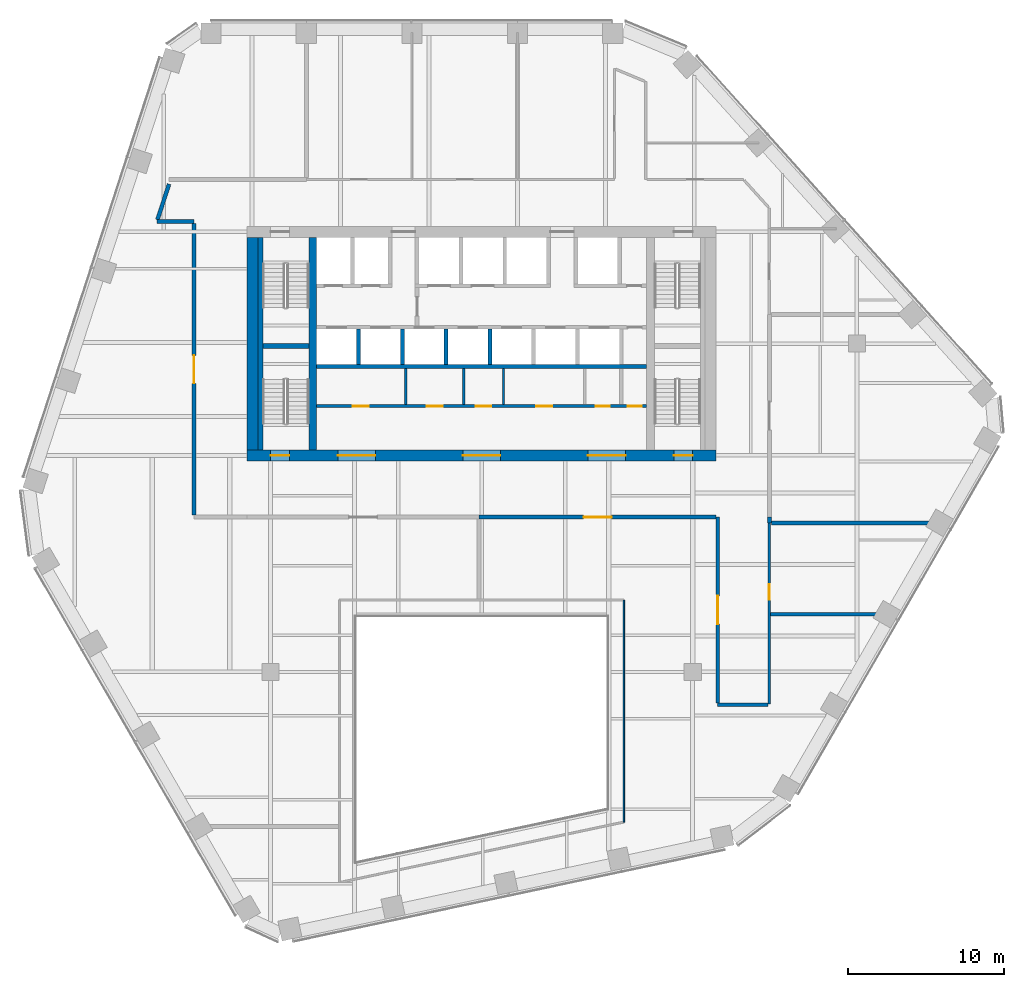
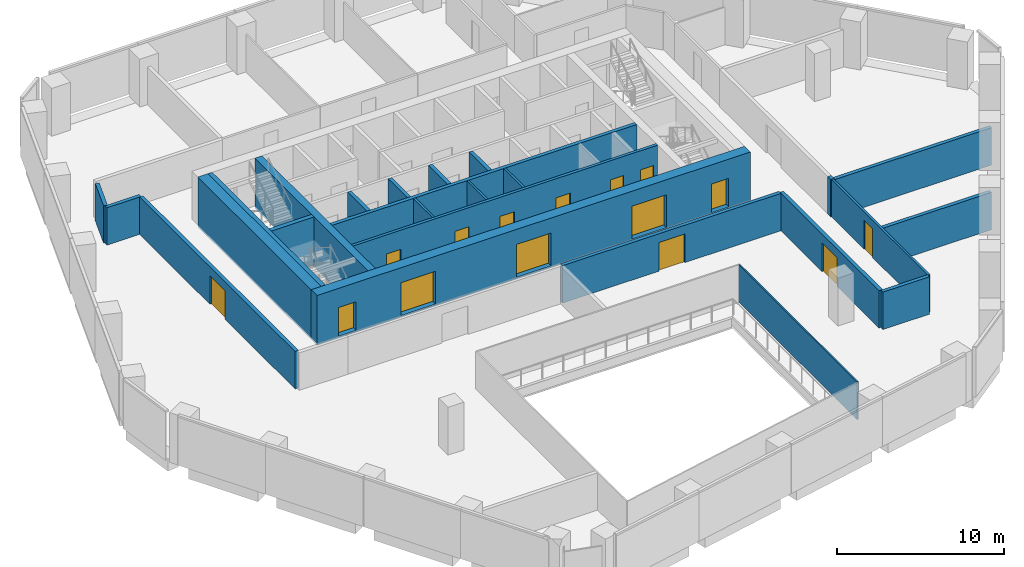
# One storey, part 11 of 16: 25 walls, 15 doors, 15 openings.
"""IFC4 building model written with IfcOpenShell, lengths in metres."""

from ifc_helpers import new_model, si_unit, direction, frame, frame_2d, origin, place, context, subcontext, project, spatial, rectangle, extrude, material, layer, layer_set, type_object, element, fill, save


model = new_model("IFC4")

# Units and contexts
model_context = context("Model", 3, precision=1e-05, world=origin(), true_north=direction((0.0, 1.0)))
body_context = subcontext(model_context, "Body", "Model", "MODEL_VIEW")
ifc_project = project(units=[si_unit("LENGTHUNIT", "METRE"), si_unit("AREAUNIT", "SQUARE_METRE"), si_unit("VOLUMEUNIT", "CUBIC_METRE"), si_unit("PLANEANGLEUNIT", "RADIAN"), si_unit("MASSUNIT", "GRAM", prefix="KILO")], contexts=[model_context])

# Site, building, storey
site_placement = place(None, origin())
site = spatial("IfcSite", under=ifc_project, at=site_placement, CompositionType="ELEMENT")
building_placement = place(site_placement, origin())
building = spatial("IfcBuilding", under=site, at=building_placement, Name="Isthmus Gate Tower", CompositionType="ELEMENT")
storey_placement = place(building_placement, frame((0.0, 0.0, 192.699951171875)))
storey = spatial("IfcBuildingStorey", under=building, at=storey_placement, Name="L48", CompositionType="ELEMENT", Elevation=192.699951171875)

# Wall, opening, door
ifc_material_1 = material(Name="Double-leaf acoustic stud wall, fire-rated", Category="gypsum")
ifc_layer_1 = layer(ifc_material_1, 0.25)
ifc_layer_set_1 = layer_set([ifc_layer_1], Name="ACOUSTIC WALL 250 60 MIN")
wall_type_1 = type_object("IfcWallType", Name="ACOUSTIC WALL 250 60 MIN", PredefinedType="PARTITIONING", material=ifc_layer_set_1)
wall_1_placement = place(storey_placement, frame((14.97509765625, -3.60009765625, 0.0), z_axis=(0.0, 0.0, 1.0), x_axis=(-1.0, 0.0, 0.0)))
wall_1 = element("IfcWall", 1, at=wall_1_placement, inside=storey, type_object=wall_type_1, Name="L48 Acoustic Wall 250 60 Min", PredefinedType="PARTITIONING", context=body_context, shape_type="SweptSolid", body=[
    extrude(rectangle(XDim=15.14111328125, YDim=0.25, at=frame_2d((7.570556640625, 0.0))), origin(), (0.0, 0.0, 1.0), 2.7412109375),
])
opening_1_placement = place(wall_1_placement, frame((6.657958984375, 0.0, 0.0)))
opening_1 = element("IfcOpeningElement", 2, at=opening_1_placement, cuts=wall_1, Name="Opening DT-T4C-10", PredefinedType="OPENING", context=body_context, shape_type="SweptSolid", body=[
    extrude(rectangle(XDim=1.800048828125, YDim=2.10009765625, at=frame_2d((0.89990234375, 1.050048828125))), frame((0.0, 0.135009765625, 0.0), z_axis=(0.0, -1.0, 0.0), x_axis=(1.0, 0.0, 0.0)), (0.0, 0.0, 1.0), 0.27001953125),
])
ifc_material_2 = material(Name="Solid core timber door leaf, fire-rated", Category="wood")
door_type_1 = type_object("IfcDoorType", Name="FIRE DOOR ACOUSTIC ROOM 1800 X 2100 60 MIN", OperationType="DOUBLE_DOOR_DOUBLE_SWING", PredefinedType="DOOR", material=ifc_material_2)
door_1_placement = place(opening_1_placement, origin())
door_1 = element("IfcDoor", 3, at=door_1_placement, inside=storey, type_object=door_type_1, Name="L48 room door", OperationType="DOUBLE_DOOR_DOUBLE_SWING", OverallHeight=2.10009765625, OverallWidth=1.800048828125, PredefinedType="DOOR", context=body_context, shape_type="SweptSolid", body=[
    extrude(rectangle(XDim=1.800048828125, YDim=2.10009765625, at=frame_2d((0.89990234375, 1.050048828125))), frame((0.0, 0.02490234375, 0.0), z_axis=(0.0, -1.0, 0.0), x_axis=(1.0, 0.0, 0.0)), (0.0, 0.0, 1.0), 0.050048828125),
])
fill(opening_1, door_1)

# Walls
wall_2_placement = place(storey_placement, frame((-18.39990234375, 15.300048828125, 0.0), z_axis=(0.0, 0.0, 1.0), x_axis=(-1.0, 0.0, 0.0)))
element("IfcWall", 4, at=wall_2_placement, inside=storey, type_object=wall_type_1, Name="L48 Acoustic Wall 250 60 Min", PredefinedType="PARTITIONING", context=body_context, shape_type="SweptSolid", body=[
    extrude(rectangle(XDim=2.377197265625, YDim=0.25, at=frame_2d((1.1884765625, 0.0))), origin(), (0.0, 0.0, 1.0), 2.7412109375),
])
wall_3_placement = place(storey_placement, frame((18.40087890625, -3.60009765625, 0.0), z_axis=(0.0, 0.0, 1.0), x_axis=(0.0, -1.0, 0.0)))
element("IfcWall", 5, at=wall_3_placement, inside=storey, type_object=wall_type_1, Name="L48 Acoustic Wall 250 60 Min", PredefinedType="PARTITIONING", context=body_context, shape_type="SweptSolid", body=[
    extrude(rectangle(XDim=0.364990234375, YDim=0.25, at=frame_2d((0.1826171875, 0.0))), origin(), (0.0, 0.0, 1.0), 2.7412109375),
])
wall_4_placement = place(storey_placement, frame((18.324951171875, -15.60009765625, 0.0), z_axis=(0.0, 0.0, 1.0), x_axis=(-1.0, 0.0, 0.0)))
element("IfcWall", 6, at=wall_4_placement, inside=storey, type_object=wall_type_1, Name="L48 Acoustic Wall 250 60 Min", PredefinedType="PARTITIONING", context=body_context, shape_type="SweptSolid", body=[
    extrude(rectangle(XDim=3.224853515625, YDim=0.25, at=frame_2d((1.6123046875, 0.0))), origin(), (0.0, 0.0, 1.0), 2.7412109375),
])
wall_5_placement = place(storey_placement, frame((-20.736328125, 15.425048828125, 0.0), z_axis=(0.0, 0.0, 1.0), x_axis=(0.309053762055, 0.951044568966, 0.0)))
element("IfcWall", 7, at=wall_5_placement, inside=storey, type_object=wall_type_1, Name="L48 Acoustic Wall 250 60 Min", PredefinedType="PARTITIONING", context=body_context, shape_type="SweptSolid", body=[
    extrude(rectangle(XDim=2.39208984375, YDim=0.25, at=frame_2d((1.196044921875, 0.0))), origin(), (0.0, 0.0, 1.0), 2.7412109375),
])

# Wall, opening, door
wall_6_placement = place(storey_placement, frame((-18.39990234375, -3.47509765625, 0.0), z_axis=(0.0, 0.0, 1.0), x_axis=(0.0, 1.0, 0.0)))
wall_6 = element("IfcWall", 8, at=wall_6_placement, inside=storey, type_object=wall_type_1, Name="L48 Acoustic Wall 250 60 Min", PredefinedType="PARTITIONING", context=body_context, shape_type="SweptSolid", body=[
    extrude(rectangle(XDim=18.650146484375, YDim=0.25, at=frame_2d((9.3251953125, 0.0))), origin(), (0.0, 0.0, 1.0), 2.7412109375),
])
opening_2_placement = place(wall_6_placement, frame((8.425048828125, 0.0, 0.0)))
opening_2 = element("IfcOpeningElement", 9, at=opening_2_placement, cuts=wall_6, Name="Opening DT-T4C-06", PredefinedType="OPENING", context=body_context, shape_type="SweptSolid", body=[
    extrude(rectangle(XDim=1.800048828125, YDim=2.10009765625, at=frame_2d((0.89990234375, 1.050048828125))), frame((0.0, 0.135009765625, 0.0), z_axis=(0.0, -1.0, 0.0), x_axis=(1.0, 0.0, 0.0)), (0.0, 0.0, 1.0), 0.27001953125),
])
door_2_placement = place(opening_2_placement, origin())
door_2 = element("IfcDoor", 10, at=door_2_placement, inside=storey, type_object=door_type_1, Name="L48 room door", OperationType="DOUBLE_DOOR_DOUBLE_SWING", OverallHeight=2.10009765625, OverallWidth=1.800048828125, PredefinedType="DOOR", context=body_context, shape_type="SweptSolid", body=[
    extrude(rectangle(XDim=1.800048828125, YDim=2.10009765625, at=frame_2d((0.89990234375, 1.050048828125))), frame((0.0, 0.02490234375, 0.0), z_axis=(0.0, -1.0, 0.0), x_axis=(1.0, 0.0, 0.0)), (0.0, 0.0, 1.0), 0.050048828125),
])
fill(opening_2, door_2)

# Walls
wall_7_placement = place(storey_placement, frame((18.52587890625, -3.965087890625, 0.0), z_axis=(0.0, 0.0, 1.0), x_axis=(1.0, 0.0, 0.0)))
element("IfcWall", 11, at=wall_7_placement, inside=storey, type_object=wall_type_1, Name="L48 Acoustic Wall 250 60 Min", PredefinedType="PARTITIONING", context=body_context, shape_type="SweptSolid", body=[
    extrude(rectangle(XDim=10.8232421875, YDim=0.25, at=frame_2d((5.41162109375, 0.0))), origin(), (0.0, 0.0, 1.0), 2.7412109375),
])
wall_8_placement = place(storey_placement, frame((18.47705078125, -9.81103515625, 0.0), z_axis=(0.0, 0.0, 1.0), x_axis=(1.0, 0.0, 0.0)))
element("IfcWall", 12, at=wall_8_placement, inside=storey, type_object=wall_type_1, Name="L48 Acoustic Wall 250 60 Min", PredefinedType="PARTITIONING", context=body_context, shape_type="SweptSolid", body=[
    extrude(rectangle(XDim=7.4970703125, YDim=0.25, at=frame_2d((3.74853515625, 0.0))), origin(), (0.0, 0.0, 1.0), 2.7412109375),
])

# Wall, opening, door
wall_9_placement = place(storey_placement, frame((15.10009765625, -15.47509765625, 0.0), z_axis=(0.0, 0.0, 1.0), x_axis=(0.0, 1.0, 0.0)))
wall_9 = element("IfcWall", 13, at=wall_9_placement, inside=storey, type_object=wall_type_1, Name="L48 Acoustic Wall 250 60 Min", PredefinedType="PARTITIONING", context=body_context, shape_type="SweptSolid", body=[
    extrude(rectangle(XDim=11.875, YDim=0.25, at=frame_2d((5.9375, 0.0))), origin(), (0.0, 0.0, 1.0), 2.7412109375),
])
opening_3_placement = place(wall_9_placement, frame((5.03759765625, 0.0, 0.0)))
opening_3 = element("IfcOpeningElement", 14, at=opening_3_placement, cuts=wall_9, Name="Opening DT-T4C-11", PredefinedType="OPENING", context=body_context, shape_type="SweptSolid", body=[
    extrude(rectangle(XDim=1.800048828125, YDim=2.10009765625, at=frame_2d((0.89990234375, 1.050048828125))), frame((0.0, 0.135009765625, 0.0), z_axis=(0.0, -1.0, 0.0), x_axis=(1.0, 0.0, 0.0)), (0.0, 0.0, 1.0), 0.27001953125),
])
door_3_placement = place(opening_3_placement, origin())
door_3 = element("IfcDoor", 15, at=door_3_placement, inside=storey, type_object=door_type_1, Name="L48 room door", OperationType="DOUBLE_DOOR_DOUBLE_SWING", OverallHeight=2.10009765625, OverallWidth=1.800048828125, PredefinedType="DOOR", context=body_context, shape_type="SweptSolid", body=[
    extrude(rectangle(XDim=1.800048828125, YDim=2.10009765625, at=frame_2d((0.89990234375, 1.050048828125))), frame((0.0, 0.02490234375, 0.0), z_axis=(0.0, -1.0, 0.0), x_axis=(1.0, 0.0, 0.0)), (0.0, 0.0, 1.0), 0.050048828125),
])
fill(opening_3, door_3)

# Wall
ifc_material_3 = material(Name="Fire-rated laminated glass in steel frame", Category="steel")
ifc_layer_2 = layer(ifc_material_3, 0.10009765625)
ifc_layer_set_2 = layer_set([ifc_layer_2], Name="ATRIUM SCREEN GLAZED WALL 100 120 MIN")
wall_type_2 = type_object("IfcWallType", Name="ATRIUM SCREEN GLAZED WALL 100 120 MIN", PredefinedType="PARTITIONING", material=ifc_layer_set_2)
wall_10_placement = place(storey_placement, frame((9.10009765625, -8.89990234375, 0.0), z_axis=(0.0, 0.0, 1.0), x_axis=(0.0, -1.0, 0.0)))
element("IfcWall", 16, at=wall_10_placement, inside=storey, type_object=wall_type_2, Name="L48 atrium screen", PredefinedType="PARTITIONING", context=body_context, shape_type="SweptSolid", body=[
    extrude(rectangle(XDim=14.200927734375, YDim=0.10009765625, at=frame_2d((7.1005859375, 0.0))), origin(), (0.0, 0.0, 1.0), 2.7412109375),
])

# Wall, opening, door
ifc_material_4 = material(Name="Gypsum board on steel studs, fire-rated", Category="steel")
ifc_layer_3 = layer(ifc_material_4, 0.14990234375)
ifc_layer_set_3 = layer_set([ifc_layer_3], Name="CORRIDOR WALL 150 60 MIN")
wall_type_3 = type_object("IfcWallType", Name="CORRIDOR WALL 150 60 MIN", PredefinedType="PARTITIONING", material=ifc_layer_set_3)
wall_11_placement = place(storey_placement, frame((18.39990234375, -3.965087890625, 0.0), z_axis=(0.0, 0.0, 1.0), x_axis=(0.0, -1.0, 0.0)))
wall_11 = element("IfcWall", 17, at=wall_11_placement, inside=storey, type_object=wall_type_3, Name="L48 Corridor Wall 150 60 Min", PredefinedType="PARTITIONING", context=body_context, shape_type="SweptSolid", body=[
    extrude(rectangle(XDim=11.5849609375, YDim=0.14990234375, at=frame_2d((5.79248046875, 0.0))), origin(), (0.0, 0.0, 1.0), 2.7412109375),
])
opening_4_placement = place(wall_11_placement, frame((3.92138671875, 0.0, 0.0)))
opening_4 = element("IfcOpeningElement", 18, at=opening_4_placement, cuts=wall_11, Name="Opening DT-T4C-09", PredefinedType="OPENING", context=body_context, shape_type="SweptSolid", body=[
    extrude(rectangle(XDim=1.0, YDim=2.10009765625, at=frame_2d((0.5, 1.050048828125))), frame((0.0, 0.0849609375, 0.0), z_axis=(0.0, -1.0, 0.0), x_axis=(1.0, 0.0, 0.0)), (0.0, 0.0, 1.0), 0.169921875),
])
ifc_material_5 = material(Name="Solid core timber door leaf, fire-rated", Category="wood")
door_type_2 = type_object("IfcDoorType", Name="FIRE DOOR ROOM 1000 X 2100 60 MIN", OperationType="SINGLE_SWING_LEFT", PredefinedType="DOOR", material=ifc_material_5)
door_4_placement = place(opening_4_placement, origin())
door_4 = element("IfcDoor", 19, at=door_4_placement, inside=storey, type_object=door_type_2, Name="L48 room door", OperationType="SINGLE_SWING_LEFT", OverallHeight=2.10009765625, OverallWidth=1.0, PredefinedType="DOOR", context=body_context, shape_type="SweptSolid", body=[
    extrude(rectangle(XDim=1.0, YDim=2.10009765625, at=frame_2d((0.5, 1.050048828125))), frame((0.0, 0.02490234375, 0.0), z_axis=(0.0, -1.0, 0.0), x_axis=(1.0, 0.0, 0.0)), (0.0, 0.0, 1.0), 0.050048828125),
])
fill(opening_4, door_4)

# Wall
ifc_material_6 = material(Name="Concrete f'c 60 MPa", Category="concrete")
ifc_layer_4 = layer(ifc_material_6, 0.5)
ifc_layer_set_4 = layer_set([ifc_layer_4], Name="RC CORE SPINE WALL 500 F'C 60")
wall_type_4 = type_object("IfcWallType", Name="RC CORE SPINE WALL 500 F'C 60", PredefinedType="SOLIDWALL", material=ifc_layer_set_4)
wall_12_placement = place(storey_placement, frame((-10.800048828125, 0.699951171875, -0.14990234375), z_axis=(0.0, 0.0, 1.0), x_axis=(0.0, 1.0, 0.0)))
element("IfcWall", 20, at=wall_12_placement, inside=storey, type_object=wall_type_4, Name="str-corewall-L48-SPW", PredefinedType="SOLIDWALL", context=body_context, shape_type="SweptSolid", body=[
    extrude(rectangle(XDim=13.60009765625, YDim=0.5, at=frame_2d((6.800048828125, 0.0))), origin(), (0.0, 0.0, 1.0), 3.64990234375),
])

# Wall, openings, doors
ifc_material_7 = material(Name="Concrete f'c 60 MPa", Category="concrete")
ifc_layer_5 = layer(ifc_material_7, 0.699951171875)
ifc_layer_set_5 = layer_set([ifc_layer_5], Name="RC CORE WALL 700 F'C 60")
wall_type_5 = type_object("IfcWallType", Name="RC CORE WALL 700 F'C 60", PredefinedType="SOLIDWALL", material=ifc_layer_set_5)
wall_13_placement = place(storey_placement, frame((-15.0, 0.35009765625, -0.14990234375), z_axis=(0.0, 0.0, 1.0), x_axis=(1.0, 0.0, 0.0)))
wall_13 = element("IfcWall", 21, at=wall_13_placement, inside=storey, type_object=wall_type_5, Name="str-corewall-L48-S", PredefinedType="SOLIDWALL", context=body_context, shape_type="SweptSolid", body=[
    extrude(rectangle(XDim=30.0, YDim=0.699951171875, at=frame_2d((15.0, 0.0))), origin(), (0.0, 0.0, 1.0), 3.64990234375),
])
opening_5_placement = place(wall_13_placement, frame((5.800048828125, 0.0, 0.14990234375)))
opening_5 = element("IfcOpeningElement", 22, at=opening_5_placement, cuts=wall_13, Name="Opening DC-A11-10", PredefinedType="OPENING", context=body_context, shape_type="SweptSolid", body=[
    extrude(rectangle(XDim=2.39990234375, YDim=2.39990234375, at=frame_2d((1.199951171875, 1.199951171875))), frame((0.0, 0.35986328125, 0.0), z_axis=(0.0, -1.0, 0.0), x_axis=(1.0, 0.0, 0.0)), (0.0, 0.0, 1.0), 0.719970703125),
])
opening_6_placement = place(wall_13_placement, frame((13.800048828125, 0.0, 0.14990234375)))
opening_6 = element("IfcOpeningElement", 23, at=opening_6_placement, cuts=wall_13, Name="Opening DC-A11-11", PredefinedType="OPENING", context=body_context, shape_type="SweptSolid", body=[
    extrude(rectangle(XDim=2.39990234375, YDim=2.39990234375, at=frame_2d((1.199951171875, 1.199951171875))), frame((0.0, 0.35986328125, 0.0), z_axis=(0.0, -1.0, 0.0), x_axis=(1.0, 0.0, 0.0)), (0.0, 0.0, 1.0), 0.719970703125),
])
opening_7_placement = place(wall_13_placement, frame((21.800048828125, 0.0, 0.14990234375)))
opening_7 = element("IfcOpeningElement", 24, at=opening_7_placement, cuts=wall_13, Name="Opening DC-A11-12", PredefinedType="OPENING", context=body_context, shape_type="SweptSolid", body=[
    extrude(rectangle(XDim=2.39990234375, YDim=2.39990234375, at=frame_2d((1.199951171875, 1.199951171875))), frame((0.0, 0.35986328125, 0.0), z_axis=(0.0, -1.0, 0.0), x_axis=(1.0, 0.0, 0.0)), (0.0, 0.0, 1.0), 0.719970703125),
])
opening_8_placement = place(wall_13_placement, frame((1.5, 0.0, 0.14990234375)))
opening_8 = element("IfcOpeningElement", 25, at=opening_8_placement, cuts=wall_13, Name="Opening DC-A11-17", PredefinedType="OPENING", context=body_context, shape_type="SweptSolid", body=[
    extrude(rectangle(XDim=1.199951171875, YDim=2.10009765625, at=frame_2d((0.60009765625, 1.050048828125))), frame((0.0, 0.35986328125, 0.0), z_axis=(0.0, -1.0, 0.0), x_axis=(1.0, 0.0, 0.0)), (0.0, 0.0, 1.0), 0.719970703125),
])
opening_9_placement = place(wall_13_placement, frame((27.300048828125, 0.0, 0.14990234375)))
opening_9 = element("IfcOpeningElement", 26, at=opening_9_placement, cuts=wall_13, Name="Opening DC-A11-18", PredefinedType="OPENING", context=body_context, shape_type="SweptSolid", body=[
    extrude(rectangle(XDim=1.199951171875, YDim=2.10009765625, at=frame_2d((0.60009765625, 1.050048828125))), frame((0.0, 0.35986328125, 0.0), z_axis=(0.0, -1.0, 0.0), x_axis=(1.0, 0.0, 0.0)), (0.0, 0.0, 1.0), 0.719970703125),
])
ifc_material_8 = material(Name="Laminated safety glass in steel frame, fire-rated", Category="steel")
door_type_3 = type_object("IfcDoorType", Name="LOBBY ENTRANCE FIRE DOOR 2400 X 2400 60 MIN", OperationType="DOUBLE_DOOR_DOUBLE_SWING", PredefinedType="DOOR", material=ifc_material_8)
door_5_placement = place(opening_5_placement, origin())
door_5 = element("IfcDoor", 27, at=door_5_placement, inside=storey, type_object=door_type_3, Name="Lobby Entrance PS-W", OperationType="DOUBLE_DOOR_DOUBLE_SWING", OverallHeight=2.39990234375, OverallWidth=2.39990234375, PredefinedType="DOOR", context=body_context, shape_type="SweptSolid", body=[
    extrude(rectangle(XDim=2.39990234375, YDim=2.39990234375, at=frame_2d((1.199951171875, 1.199951171875))), frame((0.0, 0.02490234375, 0.0), z_axis=(0.0, -1.0, 0.0), x_axis=(1.0, 0.0, 0.0)), (0.0, 0.0, 1.0), 0.050048828125),
])
fill(opening_5, door_5)
door_6_placement = place(opening_6_placement, origin())
door_6 = element("IfcDoor", 28, at=door_6_placement, inside=storey, type_object=door_type_3, Name="Lobby Entrance PS-C", OperationType="DOUBLE_DOOR_DOUBLE_SWING", OverallHeight=2.39990234375, OverallWidth=2.39990234375, PredefinedType="DOOR", context=body_context, shape_type="SweptSolid", body=[
    extrude(rectangle(XDim=2.39990234375, YDim=2.39990234375, at=frame_2d((1.199951171875, 1.199951171875))), frame((0.0, 0.02490234375, 0.0), z_axis=(0.0, -1.0, 0.0), x_axis=(1.0, 0.0, 0.0)), (0.0, 0.0, 1.0), 0.050048828125),
])
fill(opening_6, door_6)
door_7_placement = place(opening_7_placement, origin())
door_7 = element("IfcDoor", 29, at=door_7_placement, inside=storey, type_object=door_type_3, Name="Lobby Entrance PS-E", OperationType="DOUBLE_DOOR_DOUBLE_SWING", OverallHeight=2.39990234375, OverallWidth=2.39990234375, PredefinedType="DOOR", context=body_context, shape_type="SweptSolid", body=[
    extrude(rectangle(XDim=2.39990234375, YDim=2.39990234375, at=frame_2d((1.199951171875, 1.199951171875))), frame((0.0, 0.02490234375, 0.0), z_axis=(0.0, -1.0, 0.0), x_axis=(1.0, 0.0, 0.0)), (0.0, 0.0, 1.0), 0.050048828125),
])
fill(opening_7, door_7)
ifc_material_9 = material(Name="Steel door leaf, fire-rated", Category="steel")
door_type_4 = type_object("IfcDoorType", Name="STAIR FIRE DOOR 1200 X 2100 90 MIN", OperationType="SINGLE_SWING_LEFT", PredefinedType="DOOR", material=ifc_material_9)
door_8_placement = place(opening_8_placement, origin())
door_8 = element("IfcDoor", 30, at=door_8_placement, inside=storey, type_object=door_type_4, Name="Exit Stair 7 Door", OperationType="SINGLE_SWING_LEFT", OverallHeight=2.10009765625, OverallWidth=1.199951171875, PredefinedType="DOOR", context=body_context, shape_type="SweptSolid", body=[
    extrude(rectangle(XDim=1.199951171875, YDim=2.10009765625, at=frame_2d((0.60009765625, 1.050048828125))), frame((0.0, 0.02490234375, 0.0), z_axis=(0.0, -1.0, 0.0), x_axis=(1.0, 0.0, 0.0)), (0.0, 0.0, 1.0), 0.050048828125),
])
fill(opening_8, door_8)
door_9_placement = place(opening_9_placement, origin())
door_9 = element("IfcDoor", 31, at=door_9_placement, inside=storey, type_object=door_type_4, Name="Exit Stair 8 Door", OperationType="SINGLE_SWING_RIGHT", OverallHeight=2.10009765625, OverallWidth=1.199951171875, PredefinedType="DOOR", context=body_context, shape_type="SweptSolid", body=[
    extrude(rectangle(XDim=1.199951171875, YDim=2.10009765625, at=frame_2d((0.60009765625, 1.050048828125))), frame((0.0, 0.02490234375, 0.0), z_axis=(0.0, -1.0, 0.0), x_axis=(1.0, 0.0, 0.0)), (0.0, 0.0, 1.0), 0.050048828125),
])
fill(opening_9, door_9)

# Walls
wall_14_placement = place(storey_placement, frame((-14.64990234375, 0.699951171875, -0.14990234375), z_axis=(0.0, 0.0, 1.0), x_axis=(0.0, 1.0, 0.0)))
element("IfcWall", 32, at=wall_14_placement, inside=storey, type_object=wall_type_5, Name="str-corewall-L48-W", PredefinedType="SOLIDWALL", context=body_context, shape_type="SweptSolid", body=[
    extrude(rectangle(XDim=13.60009765625, YDim=0.699951171875, at=frame_2d((6.800048828125, 0.0))), origin(), (0.0, 0.0, 1.0), 3.64990234375),
])
ifc_material_10 = material(Name="Gypsum board on steel studs, fire-rated", Category="steel")
ifc_layer_6 = layer(ifc_material_10, 0.14990234375)
ifc_layer_set_6 = layer_set([ifc_layer_6], Name="ROOM PARTITION 150 60 MIN")
wall_type_6 = type_object("IfcWallType", Name="ROOM PARTITION 150 60 MIN", PredefinedType="PARTITIONING", material=ifc_layer_set_6)
for number, where, z_axis, x_axis, name in (
    (33, (-4.85009765625, 3.60009765625, 0.0), (0.0, 0.0, 1.0), (0.0, 1.0, 0.0), "L48 ROOM PARTITION 150 60 MIN"),
    (34, (-1.14990234375, 3.60009765625, 0.0), (0.0, 0.0, 1.0), (0.0, 1.0, 0.0), "L48 ROOM PARTITION 150 60 MIN"),
    (35, (1.39990234375, 3.60009765625, 0.0), (0.0, 0.0, 1.0), (0.0, 1.0, 0.0), "L48 ROOM PARTITION 150 60 MIN"),
):
    element("IfcWall", number, at=place(storey_placement, frame(where, z_axis=z_axis, x_axis=x_axis)), inside=storey, type_object=wall_type_6, Name=name, PredefinedType="PARTITIONING", context=body_context, shape_type="SweptSolid", body=[
        extrude(rectangle(XDim=2.2998046875, YDim=0.14990234375, at=frame_2d((1.14990234375, 0.0))), origin(), (0.0, 0.0, 1.0), 3.5),
    ])

# Wall, openings, doors
ifc_material_11 = material(Name="Fire-rated blockwork masonry, 15 MPa", Category="masonry")
ifc_layer_7 = layer(ifc_material_11, 0.199951171875)
ifc_layer_set_7 = layer_set([ifc_layer_7], Name="SHAFT FRONT WALL 200 120 MIN")
wall_type_7 = type_object("IfcWallType", Name="SHAFT FRONT WALL 200 120 MIN", PredefinedType="PARTITIONING", material=ifc_layer_set_7)
wall_15_placement = place(storey_placement, frame((-10.550048828125, 3.5, 0.0), z_axis=(0.0, 0.0, 1.0), x_axis=(1.0, 0.0, 0.0)))
wall_15 = element("IfcWall", 36, at=wall_15_placement, inside=storey, type_object=wall_type_7, Name="L48 SHAFT FRONT WALL 200 120 MIN", PredefinedType="PARTITIONING", context=body_context, shape_type="SweptSolid", body=[
    extrude(rectangle(XDim=21.10009765625, YDim=0.199951171875, at=frame_2d((10.550048828125, 0.0))), origin(), (0.0, 0.0, 1.0), 3.5),
])
opening_10_placement = place(wall_15_placement, frame((2.3125, 0.0, 0.0)))
opening_10 = element("IfcOpeningElement", 37, at=opening_10_placement, cuts=wall_15, Name="Opening DC-A11-02", PredefinedType="OPENING", context=body_context, shape_type="SweptSolid", body=[
    extrude(rectangle(XDim=1.0, YDim=2.10009765625, at=frame_2d((0.5, 1.050048828125))), frame((0.0, 0.10986328125, 0.0), z_axis=(0.0, -1.0, 0.0), x_axis=(1.0, 0.0, 0.0)), (0.0, 0.0, 1.0), 0.219970703125),
])
opening_11_placement = place(wall_15_placement, frame((7.050048828125, 0.0, 0.0)))
opening_11 = element("IfcOpeningElement", 38, at=opening_11_placement, cuts=wall_15, Name="Opening DC-A11-03", PredefinedType="OPENING", context=body_context, shape_type="SweptSolid", body=[
    extrude(rectangle(XDim=1.0, YDim=2.10009765625, at=frame_2d((0.5, 1.050048828125))), frame((0.0, 0.10986328125, 0.0), z_axis=(0.0, -1.0, 0.0), x_axis=(1.0, 0.0, 0.0)), (0.0, 0.0, 1.0), 0.219970703125),
])
opening_12_placement = place(wall_15_placement, frame((10.175048828125, 0.0, 0.0)))
opening_12 = element("IfcOpeningElement", 39, at=opening_12_placement, cuts=wall_15, Name="Opening DC-A11-04", PredefinedType="OPENING", context=body_context, shape_type="SweptSolid", body=[
    extrude(rectangle(XDim=1.0, YDim=2.10009765625, at=frame_2d((0.5, 1.050048828125))), frame((0.0, 0.10986328125, 0.0), z_axis=(0.0, -1.0, 0.0), x_axis=(1.0, 0.0, 0.0)), (0.0, 0.0, 1.0), 0.219970703125),
])
opening_13_placement = place(wall_15_placement, frame((14.050048828125, 0.0, 0.0)))
opening_13 = element("IfcOpeningElement", 40, at=opening_13_placement, cuts=wall_15, Name="Opening DC-A11-05", PredefinedType="OPENING", context=body_context, shape_type="SweptSolid", body=[
    extrude(rectangle(XDim=1.0, YDim=2.10009765625, at=frame_2d((0.5, 1.050048828125))), frame((0.0, 0.10986328125, 0.0), z_axis=(0.0, -1.0, 0.0), x_axis=(1.0, 0.0, 0.0)), (0.0, 0.0, 1.0), 0.219970703125),
])
opening_14_placement = place(wall_15_placement, frame((17.83740234375, 0.0, 0.0)))
opening_14 = element("IfcOpeningElement", 41, at=opening_14_placement, cuts=wall_15, Name="Opening DC-A11-06", PredefinedType="OPENING", context=body_context, shape_type="SweptSolid", body=[
    extrude(rectangle(XDim=0.89990234375, YDim=2.10009765625, at=frame_2d((0.449951171875, 1.050048828125))), frame((0.0, 0.10986328125, 0.0), z_axis=(0.0, -1.0, 0.0), x_axis=(1.0, 0.0, 0.0)), (0.0, 0.0, 1.0), 0.219970703125),
])
opening_15_placement = place(wall_15_placement, frame((19.89990234375, 0.0, 0.0)))
opening_15 = element("IfcOpeningElement", 42, at=opening_15_placement, cuts=wall_15, Name="Opening DC-A11-07", PredefinedType="OPENING", context=body_context, shape_type="SweptSolid", body=[
    extrude(rectangle(XDim=0.89990234375, YDim=2.10009765625, at=frame_2d((0.449951171875, 1.050048828125))), frame((0.0, 0.10986328125, 0.0), z_axis=(0.0, -1.0, 0.0), x_axis=(1.0, 0.0, 0.0)), (0.0, 0.0, 1.0), 0.219970703125),
])
ifc_material_12 = material(Name="Steel door leaf, fire-rated", Category="steel")
door_type_5 = type_object("IfcDoorType", Name="FIRE DOOR 1000 X 2100 60 MIN", OperationType="SINGLE_SWING_LEFT", PredefinedType="DOOR", material=ifc_material_12)
door_10_placement = place(opening_10_placement, origin())
door_10 = element("IfcDoor", 43, at=door_10_placement, inside=storey, type_object=door_type_5, Name="WC Women Door", OperationType="SINGLE_SWING_LEFT", OverallHeight=2.10009765625, OverallWidth=1.0, PredefinedType="DOOR", context=body_context, shape_type="SweptSolid", body=[
    extrude(rectangle(XDim=1.0, YDim=2.10009765625, at=frame_2d((0.5, 1.050048828125))), frame((0.0, 0.02490234375, 0.0), z_axis=(0.0, -1.0, 0.0), x_axis=(1.0, 0.0, 0.0)), (0.0, 0.0, 1.0), 0.050048828125),
])
fill(opening_10, door_10)
door_11_placement = place(opening_11_placement, origin())
door_11 = element("IfcDoor", 44, at=door_11_placement, inside=storey, type_object=door_type_5, Name="WC Men Door", OperationType="SINGLE_SWING_RIGHT", OverallHeight=2.10009765625, OverallWidth=1.0, PredefinedType="DOOR", context=body_context, shape_type="SweptSolid", body=[
    extrude(rectangle(XDim=1.0, YDim=2.10009765625, at=frame_2d((0.5, 1.050048828125))), frame((0.0, 0.02490234375, 0.0), z_axis=(0.0, -1.0, 0.0), x_axis=(1.0, 0.0, 0.0)), (0.0, 0.0, 1.0), 0.050048828125),
])
fill(opening_11, door_11)
door_12_placement = place(opening_12_placement, origin())
door_12 = element("IfcDoor", 45, at=door_12_placement, inside=storey, type_object=door_type_5, Name="Accessible WC Door", OperationType="SINGLE_SWING_LEFT", OverallHeight=2.10009765625, OverallWidth=1.0, PredefinedType="DOOR", context=body_context, shape_type="SweptSolid", body=[
    extrude(rectangle(XDim=1.0, YDim=2.10009765625, at=frame_2d((0.5, 1.050048828125))), frame((0.0, 0.02490234375, 0.0), z_axis=(0.0, -1.0, 0.0), x_axis=(1.0, 0.0, 0.0)), (0.0, 0.0, 1.0), 0.050048828125),
])
fill(opening_12, door_12)
door_13_placement = place(opening_13_placement, origin())
door_13 = element("IfcDoor", 46, at=door_13_placement, inside=storey, type_object=door_type_5, Name="Pantry Door", OperationType="SINGLE_SWING_RIGHT", OverallHeight=2.10009765625, OverallWidth=1.0, PredefinedType="DOOR", context=body_context, shape_type="SweptSolid", body=[
    extrude(rectangle(XDim=1.0, YDim=2.10009765625, at=frame_2d((0.5, 1.050048828125))), frame((0.0, 0.02490234375, 0.0), z_axis=(0.0, -1.0, 0.0), x_axis=(1.0, 0.0, 0.0)), (0.0, 0.0, 1.0), 0.050048828125),
])
fill(opening_13, door_13)
ifc_material_13 = material(Name="Steel door leaf, fire-rated", Category="steel")
door_type_6 = type_object("IfcDoorType", Name="FIRE DOOR 900 X 2100 60 MIN", OperationType="SINGLE_SWING_LEFT", PredefinedType="DOOR", material=ifc_material_13)
door_14_placement = place(opening_14_placement, origin())
door_14 = element("IfcDoor", 47, at=door_14_placement, inside=storey, type_object=door_type_6, Name="IT Room Door", OperationType="SINGLE_SWING_LEFT", OverallHeight=2.10009765625, OverallWidth=0.89990234375, PredefinedType="DOOR", context=body_context, shape_type="SweptSolid", body=[
    extrude(rectangle(XDim=0.89990234375, YDim=2.10009765625, at=frame_2d((0.449951171875, 1.050048828125))), frame((0.0, 0.02490234375, 0.0), z_axis=(0.0, -1.0, 0.0), x_axis=(1.0, 0.0, 0.0)), (0.0, 0.0, 1.0), 0.050048828125),
])
fill(opening_14, door_14)
ifc_material_14 = material(Name="Steel door leaf, fire-rated", Category="steel")
door_type_7 = type_object("IfcDoorType", Name="RISER FIRE DOOR 900 X 2100 90 MIN", OperationType="SINGLE_SWING_LEFT", PredefinedType="DOOR", material=ifc_material_14)
door_15_placement = place(opening_15_placement, origin())
door_15 = element("IfcDoor", 48, at=door_15_placement, inside=storey, type_object=door_type_7, Name="Riser Door", OperationType="SINGLE_SWING_RIGHT", OverallHeight=2.10009765625, OverallWidth=0.89990234375, PredefinedType="DOOR", context=body_context, shape_type="SweptSolid", body=[
    extrude(rectangle(XDim=0.89990234375, YDim=2.10009765625, at=frame_2d((0.449951171875, 1.050048828125))), frame((0.0, 0.02490234375, 0.0), z_axis=(0.0, -1.0, 0.0), x_axis=(1.0, 0.0, 0.0)), (0.0, 0.0, 1.0), 0.050048828125),
])
fill(opening_15, door_15)

# Walls
ifc_material_15 = material(Name="Fire-rated blockwork masonry, 15 MPa", Category="masonry")
ifc_layer_8 = layer(ifc_material_15, 0.25)
ifc_layer_set_8 = layer_set([ifc_layer_8], Name="SHAFT WALL 250 120 MIN")
wall_type_8 = type_object("IfcWallType", Name="SHAFT WALL 250 120 MIN", PredefinedType="PARTITIONING", material=ifc_layer_set_8)
wall_16_placement = place(storey_placement, frame((-10.550048828125, 6.02490234375, 0.0), z_axis=(0.0, 0.0, 1.0), x_axis=(1.0, 0.0, 0.0)))
element("IfcWall", 49, at=wall_16_placement, inside=storey, type_object=wall_type_8, Name="L48 SHAFT WALL 250 120 MIN", PredefinedType="PARTITIONING", context=body_context, shape_type="SweptSolid", body=[
    extrude(rectangle(XDim=21.10009765625, YDim=0.25, at=frame_2d((10.550048828125, 0.0))), origin(), (0.0, 0.0, 1.0), 3.5),
])
for number, where, z_axis, x_axis, name in (
    (50, (-7.875, 6.14990234375, 0.0), (0.0, 0.0, 1.0), (0.0, 1.0, 0.0), "L48 SHAFT WALL 250 120 MIN"),
    (51, (-5.074951171875, 6.14990234375, 0.0), (0.0, 0.0, 1.0), (0.0, 1.0, 0.0), "L48 SHAFT WALL 250 120 MIN"),
    (52, (-2.27490234375, 6.14990234375, 0.0), (0.0, 0.0, 1.0), (0.0, 1.0, 0.0), "L48 SHAFT WALL 250 120 MIN"),
    (53, (0.52490234375, 6.14990234375, 0.0), (0.0, 0.0, 1.0), (0.0, 1.0, 0.0), "L48 SHAFT WALL 250 120 MIN"),
):
    element("IfcWall", number, at=place(storey_placement, frame(where, z_axis=z_axis, x_axis=x_axis)), inside=storey, type_object=wall_type_8, Name=name, PredefinedType="PARTITIONING", context=body_context, shape_type="SweptSolid", body=[
        extrude(rectangle(XDim=2.300048828125, YDim=0.25, at=frame_2d((1.14990234375, 0.0))), origin(), (0.0, 0.0, 1.0), 3.5),
    ])
ifc_material_16 = material(Name="Concrete f'c 40 MPa", Category="concrete")
ifc_layer_9 = layer(ifc_material_16, 0.300048828125)
ifc_layer_set_9 = layer_set([ifc_layer_9], Name="STAIR ENCLOSURE WALL 300 180 MIN")
wall_type_9 = type_object("IfcWallType", Name="STAIR ENCLOSURE WALL 300 180 MIN", PredefinedType="SOLIDWALL", material=ifc_layer_set_9)
wall_17_placement = place(storey_placement, frame((-14.0, 7.35009765625, 0.0), z_axis=(0.0, 0.0, 1.0), x_axis=(1.0, 0.0, 0.0)))
element("IfcWall", 54, at=wall_17_placement, inside=storey, type_object=wall_type_9, Name="L48 STAIR ENCLOSURE WALL 300 180 MIN", PredefinedType="SOLIDWALL", context=body_context, shape_type="SweptSolid", body=[
    extrude(rectangle(XDim=2.949951171875, YDim=0.300048828125, at=frame_2d((1.47509765625, 0.0))), origin(), (0.0, 0.0, 1.0), 3.5),
])
wall_18_placement = place(storey_placement, frame((-14.14990234375, 0.699951171875, 0.0), z_axis=(0.0, 0.0, 1.0), x_axis=(0.0, 1.0, 0.0)))
element("IfcWall", 55, at=wall_18_placement, inside=storey, type_object=wall_type_9, Name="L48 STAIR ENCLOSURE WALL 300 180 MIN", PredefinedType="SOLIDWALL", context=body_context, shape_type="SweptSolid", body=[
    extrude(rectangle(XDim=13.60009765625, YDim=0.300048828125, at=frame_2d((6.800048828125, 0.0))), origin(), (0.0, 0.0, 1.0), 3.5),
])

save(model, "model.ifc")
